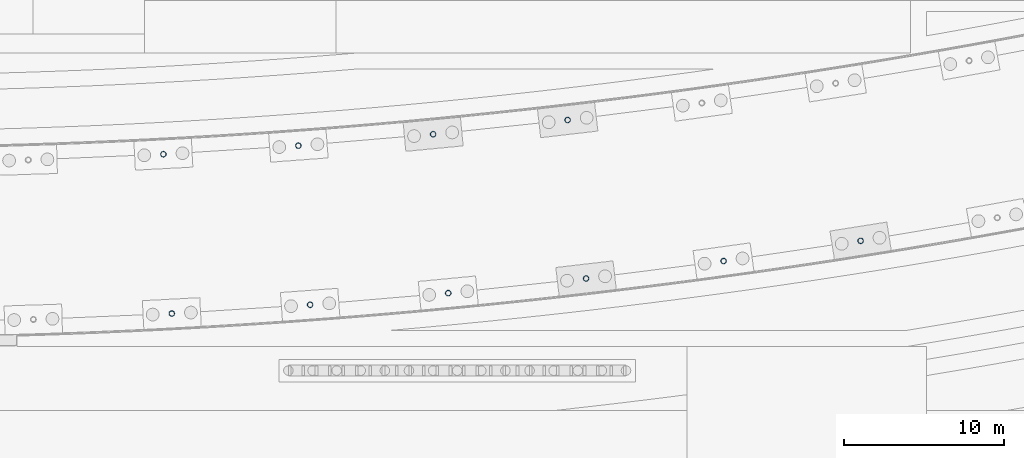
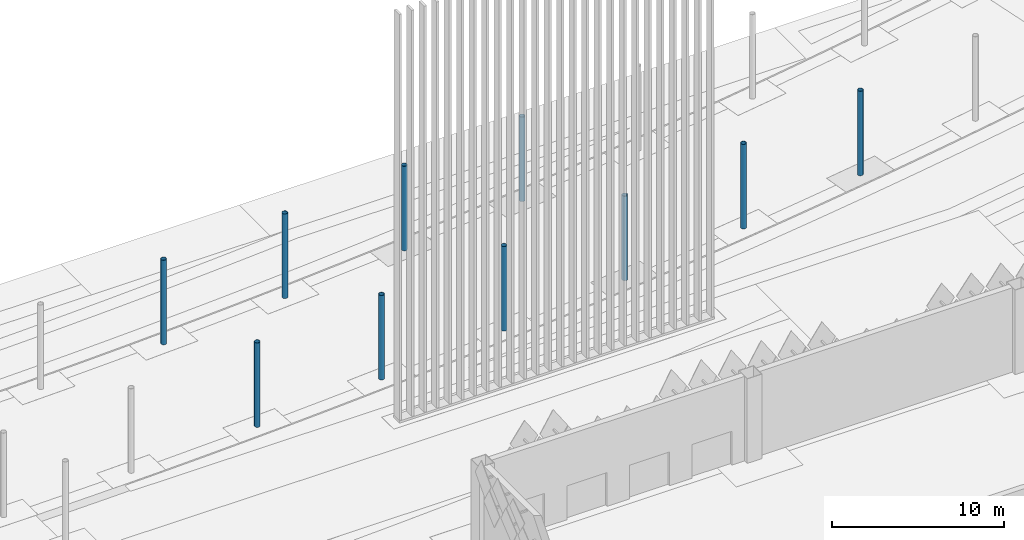
# One storey, part 30 of 198: 10 columns.
"""IFC4 building model written with IfcOpenShell, lengths in metres."""

from ifc_helpers import new_model, si_unit, direction, frame, origin, origin_2d, place, context, subcontext, project, spatial, hollow_circle, extrude, material, material_profile, profile_set, type_object, element, save


model = new_model("IFC4")

# Units and contexts
model_context = context("Model", 3, precision=1e-05, world=origin(), true_north=direction((0.0, 1.0)))
body_context = subcontext(model_context, "Body", "Model", "MODEL_VIEW")
ifc_project = project(units=[si_unit("LENGTHUNIT", "METRE"), si_unit("AREAUNIT", "SQUARE_METRE"), si_unit("VOLUMEUNIT", "CUBIC_METRE"), si_unit("PLANEANGLEUNIT", "RADIAN"), si_unit("MASSUNIT", "GRAM", prefix="KILO")], contexts=[model_context])

# Site, building, storey
site_placement = place(None, origin())
site = spatial("IfcSite", under=ifc_project, at=site_placement, CompositionType="ELEMENT")
building_placement = place(site_placement, origin())
building = spatial("IfcBuilding", under=site, at=building_placement, Name="Opaline Strait Convention Centre", CompositionType="ELEMENT")
storey_placement = place(building_placement, origin())
storey = spatial("IfcBuildingStorey", under=building, at=storey_placement, Name="L00", CompositionType="ELEMENT", Elevation=0.0)

# Columns
ifc_material = material(Name="Steel Q355B", Category="steel")
ifc_material_profile = material_profile(ifc_material, hollow_circle(Radius=0.175537109375, WallThickness=0.01611328125, at=origin_2d()), Name="CHS 351x16")
ifc_profile_set = profile_set([ifc_material_profile], Name="Steel Q355B")
column_type = type_object("IfcColumnType", Name="Arcade column CHS 351x16", PredefinedType="COLUMN", material=ifc_profile_set)
for number, where, z_axis, x_axis, name in (
    (1, (201.71142578125, 170.074951171875, 0.0), (0.0, 0.0, 1.0), (1.0, 0.0, 0.0), "Arcade column SC-I13"),
    (2, (210.3818359375, 170.625732421875, 0.0), (0.0, 0.0, 1.0), (1.0, 0.0, 0.0), "Arcade column SC-I14"),
    (3, (219.03857421875, 171.358642578125, 0.0), (0.0, 0.0, 1.0), (1.0, 0.0, 0.0), "Arcade column SC-I15"),
    (4, (227.67724609375, 172.272216796875, 0.0), (0.0, 0.0, 1.0), (1.0, 0.0, 0.0), "Arcade column SC-I16"),
    (5, (236.294189453125, 173.364990234375, 0.0), (0.0, 0.0, 1.0), (1.0, 0.0, 0.0), "Arcade column SC-I17"),
    (6, (244.88623046875, 174.634765625, 0.0), (0.0, 0.0, 1.0), (1.0, 0.0, 0.0), "Arcade column SC-I18"),
    (7, (201.1826171875, 180.060791015625, 0.0), (0.0, 0.0, 1.0), (1.0, 0.0, 0.0), "Arcade column SC-O13"),
    (8, (209.642822265625, 180.598388671875, 0.0), (0.0, 0.0, 1.0), (1.0, 0.0, 0.0), "Arcade column SC-O14"),
    (9, (218.090576171875, 181.313720703125, 0.0), (0.0, 0.0, 1.0), (1.0, 0.0, 0.0), "Arcade column SC-O15"),
    (10, (226.52197265625, 182.205078125, 0.0), (0.0, 0.0, 1.0), (1.0, 0.0, 0.0), "Arcade column SC-O16"),
):
    element("IfcColumn", number, at=place(storey_placement, frame(where, z_axis=z_axis, x_axis=x_axis)), inside=storey, type_object=column_type, Name=name, ObjectType="SCC1", PredefinedType="COLUMN", context=body_context, shape_type="SweptSolid", body=[
        extrude(hollow_circle(Radius=0.175537109375, WallThickness=0.01611328125, at=origin_2d()), origin(), (0.0, 0.0, 1.0), 6.0),
    ])

save(model, "model.ifc")
